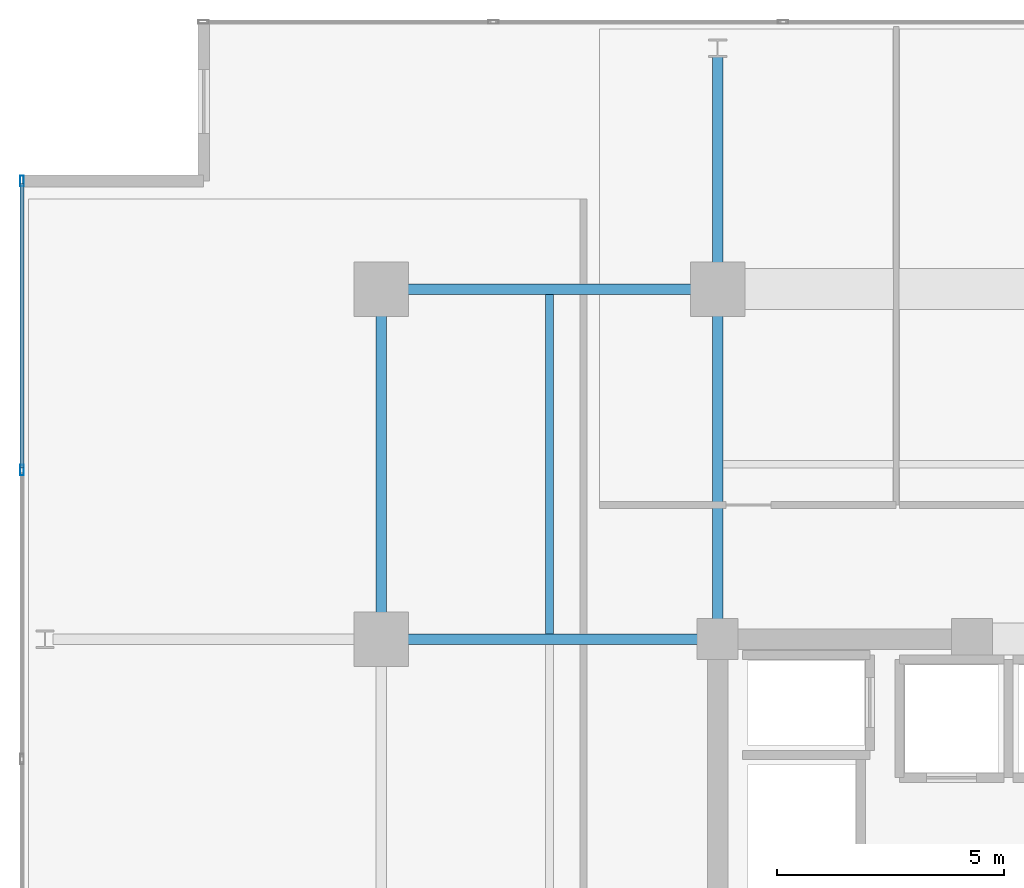
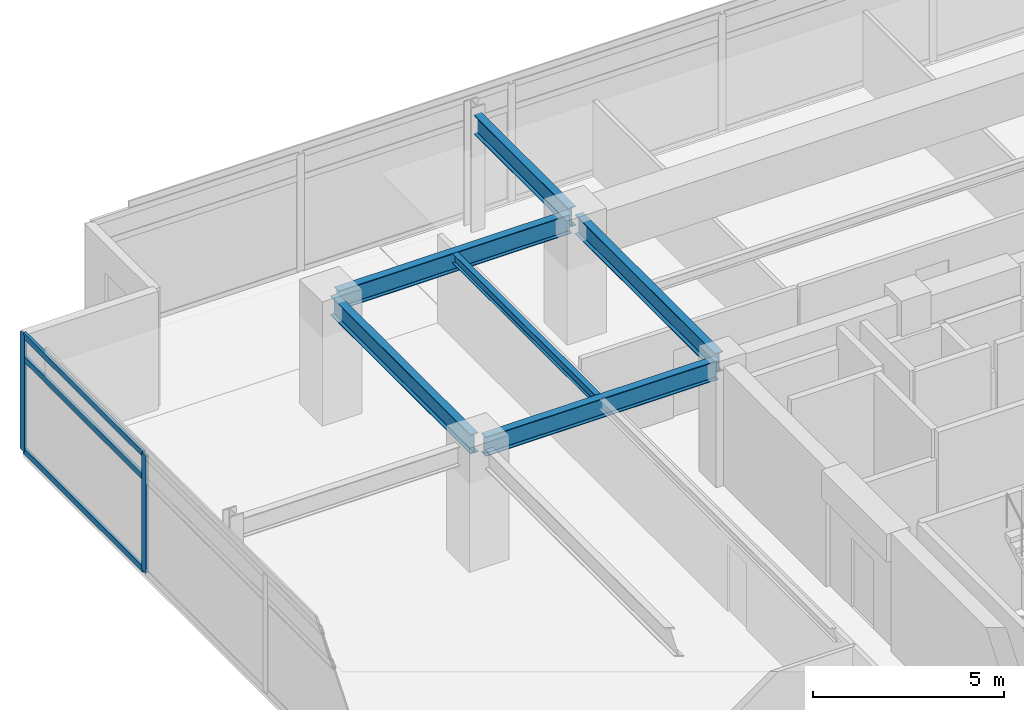
# One storey, part 7 of 21: 6 beams, 5 members, 1 element without a shape of its own.
"""IFC4 building model written with IfcOpenShell, lengths in metres."""

import ifcopenshell
import ifcopenshell.guid

model = None  # the IFC model being written
_history = None  # IfcOwnerHistory: only IFC2X3 demands one
_inside = {}  # id of a spatial element -> (the spatial element, [elements in it])
_under = {}  # id of a project, library or spatial element -> (it, [spatial elements below it])
_declared = {}  # id of a project -> (the project, [libraries it declares])
_typed = {}  # id of a type object -> (the type object, [elements of that type])
_made_of = {}  # id of a material, layer set ... -> (it, [elements and type objects made of it])


def new_model(schema):
    """Start an empty IFC model of exactly this schema.

    Asked for "IFC4X3", IfcOpenShell would pick the latest addendum, in which some entities
    have other attributes; the version numbers below select the first issue.
    IFC2X3 requires an IfcOwnerHistory on every rooted entity: one is made here for all.
    """
    global model, _history
    if schema == "IFC4X3":
        model = ifcopenshell.file(schema_version=(4, 3, 0, 0))
    else:
        model = ifcopenshell.file(schema=schema)
    _inside.clear()
    _under.clear()
    _declared.clear()
    _typed.clear()
    _made_of.clear()
    _history = None
    if model.schema == "IFC2X3":
        org = make("IfcOrganization", Name="unknown")
        user = make(
            "IfcPersonAndOrganization",
            ThePerson=make("IfcPerson", FamilyName="unknown"),
            TheOrganization=org,
        )
        app = make(
            "IfcApplication",
            ApplicationDeveloper=org,
            Version="unknown",
            ApplicationFullName="unknown",
            ApplicationIdentifier="unknown",
        )
        _history = make(
            "IfcOwnerHistory",
            OwningUser=user,
            OwningApplication=app,
            ChangeAction="ADDED",
            CreationDate=0,
        )
    return model


def make(cls, **values):
    """One entity of the class cls with the attributes given. An attribute that is None is left unset."""
    return model.create_entity(
        cls, **{name: value for name, value in values.items() if value is not None}
    )


def rooted(cls, **values):
    """An entity with a GlobalId (a new one), such as an element, a storey or a relation."""
    return make(cls, GlobalId=ifcopenshell.guid.new(), OwnerHistory=_history, **values)


def si_unit(unit_type, name, prefix=None):
    """IfcSIUnit, for example si_unit("LENGTHUNIT", "METRE", prefix="MILLI")."""
    return make("IfcSIUnit", UnitType=unit_type, Prefix=prefix, Name=name)


def assignment(units):
    """IfcUnitAssignment: the units of a project."""
    return None if units is None else make("IfcUnitAssignment", Units=units)


def point(xyz):
    """IfcCartesianPoint."""
    return None if xyz is None else make("IfcCartesianPoint", Coordinates=xyz)


def direction(xyz):
    """IfcDirection."""
    return None if xyz is None else make("IfcDirection", DirectionRatios=xyz)


def frame(location, z_axis=None, x_axis=None):
    """IfcAxis2Placement3D, a coordinate frame: its origin and axes. An axis left out is left unset."""
    return make(
        "IfcAxis2Placement3D",
        Location=point(location),
        Axis=direction(z_axis),
        RefDirection=direction(x_axis),
    )


def frame_2d(location, x_axis=None):
    """IfcAxis2Placement2D, a coordinate frame in the plane: its origin and x axis."""
    return make(
        "IfcAxis2Placement2D", Location=point(location), RefDirection=direction(x_axis)
    )


def origin():
    """The frame at (0, 0, 0) with its axes left unset."""
    return frame((0.0, 0.0, 0.0))


def origin_2d():
    """The frame at (0, 0) in the plane with its x axis left unset."""
    return frame_2d((0.0, 0.0))


def place(relative_to, where):
    """IfcLocalPlacement: puts the frame where relative to a parent placement (None: the world)."""
    return make(
        "IfcLocalPlacement", PlacementRelTo=relative_to, RelativePlacement=where
    )


def context(
    kind, dimensions, precision=None, world=None, true_north=None, identifier=None
):
    """IfcGeometricRepresentationContext, for example the 3D "Model" context."""
    return make(
        "IfcGeometricRepresentationContext",
        ContextIdentifier=identifier,
        ContextType=kind,
        CoordinateSpaceDimension=dimensions,
        Precision=precision,
        WorldCoordinateSystem=world,
        TrueNorth=true_north,
    )


def subcontext(parent, identifier, kind, view, scale=None):
    """IfcGeometricRepresentationSubContext, for example "Body" below "Model"."""
    return make(
        "IfcGeometricRepresentationSubContext",
        ContextIdentifier=identifier,
        ContextType=kind,
        ParentContext=parent,
        TargetScale=scale,
        TargetView=view,
    )


def project(units=None, contexts=None):
    """IfcProject with its units and contexts."""
    return rooted(
        "IfcProject",
        Name="project",
        RepresentationContexts=contexts,
        UnitsInContext=assignment(units),
    )


def spatial(cls, under=None, at=None, **own):
    """A site, building, storey or space (cls), placed at a placement, below another one or the project."""
    s = rooted(cls, ObjectPlacement=at, **own)
    if under is not None:
        _under.setdefault(under.id(), (under, []))[1].append(s)
    return s


def profile(cls, at=None, kind="AREA", **sizes):
    """A parametric profile (cls). Its sizes go by their IFC names, for example OverallWidth=200.0."""
    return make(cls, ProfileType=kind, Position=at, **sizes)


def hollow_rectangle(**sizes):
    """IfcRectangleHollowProfileDef."""
    return profile("IfcRectangleHollowProfileDef", **sizes)


def i_section(**sizes):
    """IfcIShapeProfileDef."""
    return profile("IfcIShapeProfileDef", **sizes)


def extrude(swept, where, along, depth):
    """IfcExtrudedAreaSolid: the profile swept, set in the frame where, extruded along a direction by depth."""
    return make(
        "IfcExtrudedAreaSolid",
        SweptArea=swept,
        Position=where,
        ExtrudedDirection=direction(along),
        Depth=depth,
    )


def shape(context_of_items, identifier, shape_type, items):
    """IfcShapeRepresentation: the items that make up one representation, for example the "Body"."""
    return make(
        "IfcShapeRepresentation",
        ContextOfItems=context_of_items,
        RepresentationIdentifier=identifier,
        RepresentationType=shape_type,
        Items=items,
    )


def material(Name=None, Category=None):
    """IfcMaterial."""
    return make("IfcMaterial", Name=Name, Category=Category)


def material_profile(
    of_material, cross_section, Name=None, Category=None, Priority=None
):
    """IfcMaterialProfile: a cross section and its material."""
    return make(
        "IfcMaterialProfile",
        Name=Name,
        Material=of_material,
        Profile=cross_section,
        Priority=Priority,
        Category=Category,
    )


def profile_set(profiles, Name=None, composite=None):
    """IfcMaterialProfileSet."""
    return make(
        "IfcMaterialProfileSet",
        Name=Name,
        MaterialProfiles=profiles,
        CompositeProfile=composite,
    )


def made_of(thing, what):
    """Note that an element or type object is made of a material, layer set ...; save() writes the relation."""
    if what is not None:
        _made_of.setdefault(what.id(), (what, []))[1].append(thing)
    return thing


def type_object(cls, material=None, **own):
    """A type object (cls), such as IfcWallType, which elements share."""
    return made_of(rooted(cls, **own), material)


def element(
    cls,
    number,
    at=None,
    inside=None,
    cuts=None,
    type_object=None,
    material=None,
    context=None,
    identifier="Body",
    shape_type=None,
    held_by="IfcProductDefinitionShape",
    body=None,
    shapes=None,
    **own,
):
    """One element of the class cls, such as IfcWall. Its Tag is "e" and its number.

    at: its placement. inside: the storey or other place that contains it. cuts: it is an
    opening in that element (IfcRelVoidsElement). A single representation is given by context,
    identifier, shape_type and body (its items); several are given by shapes. held_by: the class
    of the entity that holds the representations. save() writes the other relations.
    """
    e = rooted(cls, Tag="e%d" % number, ObjectPlacement=at, **own)
    if body is not None:
        shapes = [shape(context, identifier, shape_type, body)]
    if shapes is not None:
        e.Representation = make(held_by, Representations=shapes)
    if inside is not None:
        _inside.setdefault(inside.id(), (inside, []))[1].append(e)
    if cuts is not None:
        rooted(
            "IfcRelVoidsElement", RelatingBuildingElement=cuts, RelatedOpeningElement=e
        )
    if type_object is not None:
        _typed.setdefault(type_object.id(), (type_object, []))[1].append(e)
    return made_of(e, material)


def aggregate(whole, parts):
    """IfcRelAggregates: a whole, such as a stair, and the parts it consists of."""
    return rooted("IfcRelAggregates", RelatingObject=whole, RelatedObjects=parts)


def save(model, path):
    """Write the relations noted so far, then the file.

    IfcRelAggregates (storeys below a building ...), IfcRelContainedInSpatialStructure (elements
    in a storey), IfcRelDefinesByType, IfcRelAssociatesMaterial and IfcRelDeclares: one each for
    every whole, place, type object, material and project.
    """
    for whole, parts in _under.values():
        aggregate(whole, parts)
    for where, things in _inside.values():
        rooted(
            "IfcRelContainedInSpatialStructure",
            RelatedElements=things,
            RelatingStructure=where,
        )
    for kind, things in _typed.values():
        rooted("IfcRelDefinesByType", RelatedObjects=things, RelatingType=kind)
    for what, things in _made_of.values():
        rooted("IfcRelAssociatesMaterial", RelatedObjects=things, RelatingMaterial=what)
    for by, libraries in _declared.values():
        rooted("IfcRelDeclares", RelatingContext=by, RelatedDefinitions=libraries)
    model.write(path)


model = new_model("IFC4")

# Units and contexts
model_context = context("Model", 3, precision=1e-05, world=origin(), true_north=direction((0.0, 1.0)))
body_context = subcontext(model_context, "Body", "Model", "MODEL_VIEW")
ifc_project = project(units=[si_unit("LENGTHUNIT", "METRE"), si_unit("AREAUNIT", "SQUARE_METRE"), si_unit("VOLUMEUNIT", "CUBIC_METRE"), si_unit("PLANEANGLEUNIT", "RADIAN"), si_unit("MASSUNIT", "GRAM", prefix="KILO")], contexts=[model_context])

# Site, building, storey
site_placement = place(None, origin())
site = spatial("IfcSite", under=ifc_project, at=site_placement, CompositionType="ELEMENT")
building_placement = place(site_placement, origin())
building = spatial("IfcBuilding", under=site, at=building_placement, Name="Kovane Verandah Tower", CompositionType="ELEMENT")
storey_placement = place(building_placement, frame((0.0, 0.0, 263.199951171875)))
storey = spatial("IfcBuildingStorey", under=building, at=storey_placement, Name="L61", CompositionType="ELEMENT", Elevation=263.199951171875)

# Beams
ifc_material_1 = material(Name="Steel S355", Category="steel")
ifc_material_profile_1 = material_profile(ifc_material_1, i_section(OverallWidth=0.230224609375, OverallDepth=0.6171875, WebThickness=0.01318359375, FlangeThickness=0.022216796875, FilletRadius=0.0126953125, at=origin_2d()), Name="UB610x229x140")
ifc_profile_set_1 = profile_set([ifc_material_profile_1], Name="Steel S355")
beam_type_1 = type_object("IfcBeamType", Name="BM-UB610x140", PredefinedType="BEAM", material=ifc_profile_set_1)
beam_1_placement = place(storey_placement, frame((21.780029296875, 44.199951171875, 3.4765625), z_axis=(1.0, 0.0, 0.0), x_axis=(0.0, 1.0, 0.0)))
element("IfcBeam", 1, at=beam_1_placement, inside=storey, type_object=beam_type_1, Name="L61 Primary Tower Girder G-RN1", PredefinedType="BEAM", context=body_context, shape_type="SweptSolid", body=[
    extrude(i_section(OverallWidth=0.230224609375, OverallDepth=0.6171875, WebThickness=0.01318359375, FlangeThickness=0.022216796875, FilletRadius=0.0126953125, at=origin_2d()), origin(), (0.0, 0.0, 1.0), 7.0400390625),
])
beam_2_placement = place(storey_placement, frame((21.60009765625, 36.679931640625, 3.4765625), z_axis=(0.0, 1.0, 0.0), x_axis=(-1.0, 0.0, 0.0)))
element("IfcBeam", 2, at=beam_2_placement, inside=storey, type_object=beam_type_1, Name="L61 Primary Tower Girder G-RW3", PredefinedType="BEAM", context=body_context, shape_type="SweptSolid", body=[
    extrude(i_section(OverallWidth=0.230224609375, OverallDepth=0.6171875, WebThickness=0.01318359375, FlangeThickness=0.022216796875, FilletRadius=0.0126953125, at=origin_2d()), origin(), (0.0, 0.0, 1.0), 7.340087890625),
])
beam_3_placement = place(storey_placement, frame((28.820068359375, 36.5, 3.4765625), z_axis=(-1.0, 0.0, 0.0), x_axis=(0.0, -1.0, 0.0)))
element("IfcBeam", 3, at=beam_3_placement, inside=storey, type_object=beam_type_1, Name="L61 Primary Tower Girder G-W2", PredefinedType="BEAM", context=body_context, shape_type="SweptSolid", body=[
    extrude(i_section(OverallWidth=0.230224609375, OverallDepth=0.6171875, WebThickness=0.01318359375, FlangeThickness=0.022216796875, FilletRadius=0.0126953125, at=origin_2d()), origin(), (0.0, 0.0, 1.0), 7.0400390625),
])
beam_4_placement = place(storey_placement, frame((29.0, 36.679931640625, 3.4765625), z_axis=(0.0, 1.0, 0.0), x_axis=(-1.0, 0.0, 0.0)))
element("IfcBeam", 4, at=beam_4_placement, inside=storey, type_object=beam_type_1, Name="L61 Primary Tower Girder G-N1", PredefinedType="BEAM", context=body_context, shape_type="SweptSolid", body=[
    extrude(i_section(OverallWidth=0.230224609375, OverallDepth=0.6171875, WebThickness=0.01318359375, FlangeThickness=0.022216796875, FilletRadius=0.0126953125, at=origin_2d()), origin(), (0.0, 0.0, 1.0), 7.340087890625),
])
beam_5_placement = place(storey_placement, frame((29.0, 44.3798828125, 3.451416015625), z_axis=(0.0, 1.0, 0.0), x_axis=(-1.0, 0.0, 0.0)))
element("IfcBeam", 5, at=beam_5_placement, inside=storey, type_object=beam_type_1, Name="L61 Primary Tower Girder G-VN1", PredefinedType="BEAM", context=body_context, shape_type="SweptSolid", body=[
    extrude(i_section(OverallWidth=0.230224609375, OverallDepth=0.6171875, WebThickness=0.01318359375, FlangeThickness=0.022216796875, FilletRadius=0.0126953125, at=origin_2d()), origin(), (0.0, 0.0, 1.0), 4.940185546875),
])

# Curtain wall, members
ifc_material_2 = material(Name="Champagne Anodised Aluminium Frame with Low-E Clear Laminated Glass", Category="aluminium")
curtain_wall_type = type_object("IfcCurtainWallType", Name="CW-SYS-05-HIGH", PredefinedType="NOTDEFINED", material=ifc_material_2)
curtain_wall_placement = place(storey_placement, origin())
curtain_wall = element("IfcCurtainWall", 6, at=curtain_wall_placement, inside=storey, type_object=curtain_wall_type, Name="L61 W Unitised Curtain Wall", PredefinedType="NOTDEFINED")
ifc_material_3 = material(Name="Champagne Anodised Aluminium 6063-T6", Category="aluminium")
ifc_material_profile_2 = material_profile(ifc_material_3, hollow_rectangle(XDim=0.0849609375, YDim=0.22998046875, WallThickness=0.00390625, at=origin_2d()), Name="AL85x230x4")
ifc_profile_set_2 = profile_set([ifc_material_profile_2], Name="Champagne Anodised Aluminium 6063-T6")
member_type_1 = type_object("IfcMemberType", Name="CW-MUL-85x230", PredefinedType="MULLION", material=ifc_profile_set_2)
member_1_placement = place(storey_placement, frame((13.6923828125, 46.580078125, 0.02001953125), z_axis=(0.0, 0.0, 1.0), x_axis=(-1.0, 0.0, 0.0)))
member_1 = element("IfcMember", 7, at=member_1_placement, type_object=member_type_1, Name="L61 W Unitised Curtain Wall Mullion 1", PredefinedType="MULLION", context=body_context, shape_type="SweptSolid", body=[
    extrude(hollow_rectangle(XDim=0.0849609375, YDim=0.22998046875, WallThickness=0.00390625, at=origin_2d()), origin(), (0.0, 0.0, 1.0), 3.7451171875),
])
member_2_placement = place(storey_placement, frame((13.6923828125, 40.219970703125, 0.02001953125), z_axis=(0.0, 0.0, 1.0), x_axis=(-1.0, 0.0, 0.0)))
member_2 = element("IfcMember", 8, at=member_2_placement, type_object=member_type_1, Name="L61 W Unitised Curtain Wall Mullion 2", PredefinedType="MULLION", context=body_context, shape_type="SweptSolid", body=[
    extrude(hollow_rectangle(XDim=0.0849609375, YDim=0.22998046875, WallThickness=0.00390625, at=origin_2d()), origin(), (0.0, 0.0, 1.0), 3.7451171875),
])
ifc_material_profile_3 = material_profile(ifc_material_3, hollow_rectangle(XDim=0.0849609375, YDim=0.18994140625, WallThickness=0.00390625, at=origin_2d()), Name="AL85x190x4")
ifc_profile_set_3 = profile_set([ifc_material_profile_3], Name="Champagne Anodised Aluminium 6063-T6")
member_type_2 = type_object("IfcMemberType", Name="CW-TRN-85x190", PredefinedType="USERDEFINED", material=ifc_profile_set_3)
member_3_placement = place(storey_placement, frame((13.6923828125, 46.530029296875, 0.050048828125), z_axis=(0.0, -1.0, 0.0), x_axis=(1.0, 0.0, 0.0)))
member_3 = element("IfcMember", 9, at=member_3_placement, type_object=member_type_2, Name="L61 W Unitised Curtain Wall Transom TB Bay 1", ObjectType="TRANSOM", PredefinedType="USERDEFINED", context=body_context, shape_type="SweptSolid", body=[
    extrude(hollow_rectangle(XDim=0.0849609375, YDim=0.18994140625, WallThickness=0.00390625, at=origin_2d()), origin(), (0.0, 0.0, 1.0), 6.260009765625),
])
member_4_placement = place(storey_placement, frame((13.6923828125, 46.530029296875, 3.005126953125), z_axis=(0.0, -1.0, 0.0), x_axis=(1.0, 0.0, 0.0)))
member_4 = element("IfcMember", 10, at=member_4_placement, type_object=member_type_2, Name="L61 W Unitised Curtain Wall Transom TM Bay 1", ObjectType="TRANSOM", PredefinedType="USERDEFINED", context=body_context, shape_type="SweptSolid", body=[
    extrude(hollow_rectangle(XDim=0.0849609375, YDim=0.18994140625, WallThickness=0.00390625, at=origin_2d()), origin(), (0.0, 0.0, 1.0), 6.260009765625),
])
member_5_placement = place(storey_placement, frame((13.6923828125, 46.530029296875, 3.735107421875), z_axis=(0.0, -1.0, 0.0), x_axis=(1.0, 0.0, 0.0)))
member_5 = element("IfcMember", 11, at=member_5_placement, type_object=member_type_2, Name="L61 W Unitised Curtain Wall Transom TT Bay 1", ObjectType="TRANSOM", PredefinedType="USERDEFINED", context=body_context, shape_type="SweptSolid", body=[
    extrude(hollow_rectangle(XDim=0.0849609375, YDim=0.18994140625, WallThickness=0.00390625, at=origin_2d()), origin(), (0.0, 0.0, 1.0), 6.260009765625),
])
aggregate(curtain_wall, [member_1, member_2, member_3, member_4, member_5])

# Beam
ifc_material_profile_4 = material_profile(ifc_material_1, i_section(OverallWidth=0.1669921875, OverallDepth=0.310302734375, WebThickness=0.0078125, FlangeThickness=0.013671875, FilletRadius=0.0087890625, at=origin_2d()), Name="UB305x165x54")
ifc_profile_set_4 = profile_set([ifc_material_profile_4], Name="Steel S355")
beam_type_2 = type_object("IfcBeamType", Name="JST-UB305x54", PredefinedType="JOIST", material=ifc_profile_set_4)
beam_6_placement = place(storey_placement, frame((25.300048828125, 36.613037109375, 3.6298828125), z_axis=(0.0, 1.0, 0.0), x_axis=(-1.0, 0.0, 0.0)))
element("IfcBeam", 12, at=beam_6_placement, inside=storey, type_object=beam_type_2, Name="L61 Secondary Composite Joist J-NW1", PredefinedType="JOIST", context=body_context, shape_type="SweptSolid", body=[
    extrude(i_section(OverallWidth=0.1669921875, OverallDepth=0.310302734375, WebThickness=0.0078125, FlangeThickness=0.013671875, FilletRadius=0.0087890625, at=origin_2d()), origin(), (0.0, 0.0, 1.0), 7.473876953125),
])

save(model, "model.ifc")
